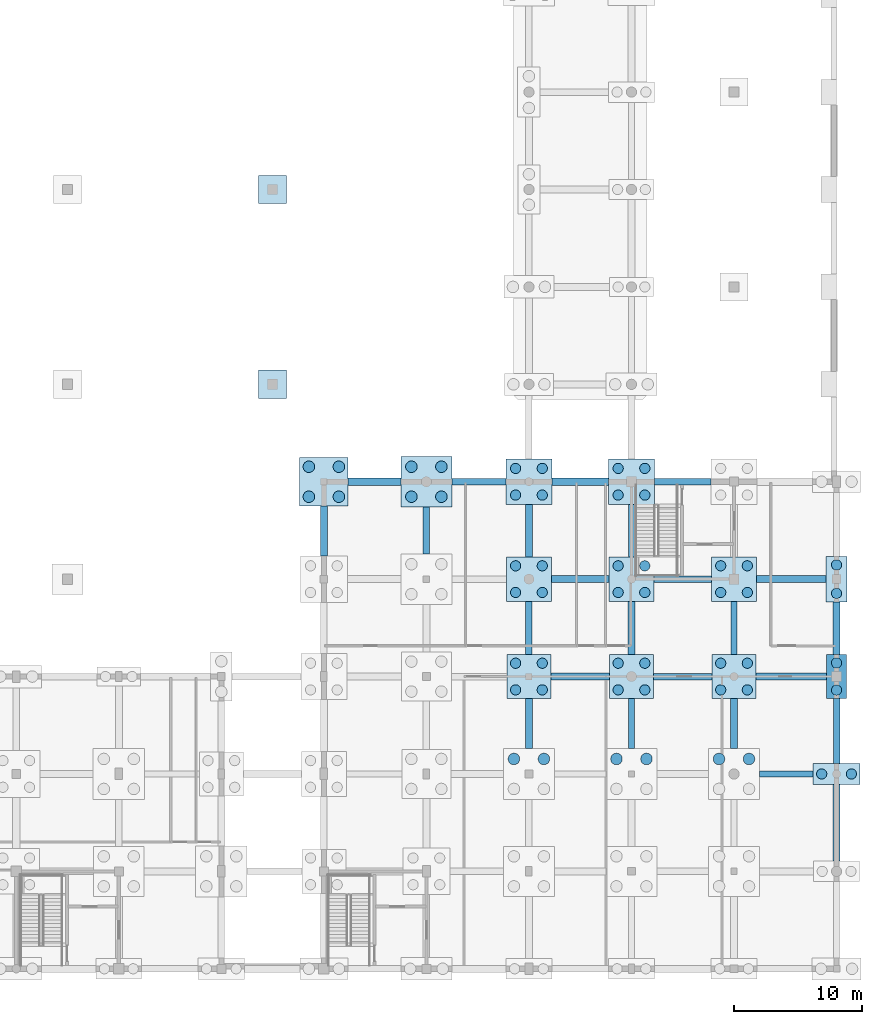
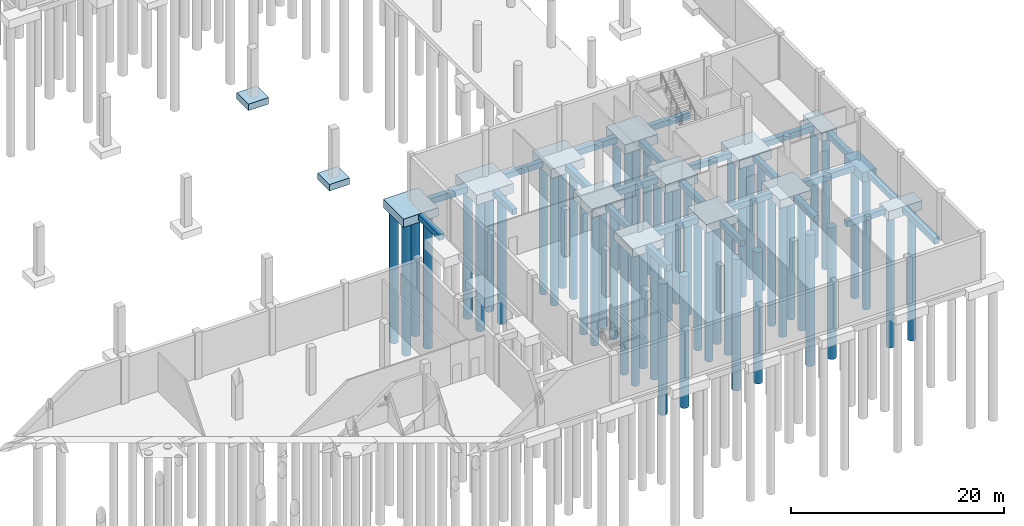
# One storey, part 13 of 44: 52 piles, 39 footings.
"""IFC4 building model written with IfcOpenShell, lengths in metres."""

from ifc_helpers import new_model, si_unit, direction, frame, origin, origin_2d, place, context, subcontext, project, spatial, polyline, circle, outline, extrude, material, material_profile, profile_set, type_object, element, save


model = new_model("IFC4")

# Units and contexts
model_context = context("Model", 3, precision=1e-05, world=origin(), true_north=direction((0.0, 1.0)))
body_context = subcontext(model_context, "Body", "Model", "MODEL_VIEW")
ifc_project = project(units=[si_unit("LENGTHUNIT", "METRE"), si_unit("AREAUNIT", "SQUARE_METRE"), si_unit("VOLUMEUNIT", "CUBIC_METRE"), si_unit("PLANEANGLEUNIT", "RADIAN"), si_unit("MASSUNIT", "GRAM", prefix="KILO")], contexts=[model_context])

# Site, building, storey
site_placement = place(None, origin())
site = spatial("IfcSite", under=ifc_project, at=site_placement, CompositionType="ELEMENT")
building_placement = place(site_placement, origin())
building = spatial("IfcBuilding", under=site, at=building_placement, Name="Khelvaren Railside Concert Hall", CompositionType="ELEMENT")
storey_placement = place(building_placement, frame((0.0, 0.0, -5.39990234375)))
storey = spatial("IfcBuildingStorey", under=building, at=storey_placement, Name="B1", CompositionType="ELEMENT", Elevation=-5.39990234375)

# Piles
ifc_material = material(Name="Concrete C35/45", Category="concrete")
ifc_material_profile_1 = material_profile(ifc_material, circle(Radius=0.449951171875, at=origin_2d()), Name="BP D900")
ifc_profile_set_1 = profile_set([ifc_material_profile_1], Name="Concrete C35/45")
pile_type_1 = type_object("IfcPileType", Name="BP51", PredefinedType="BORED", material=ifc_profile_set_1)
for number, where, z_axis, x_axis, name in (
    (1, (142.830078125, 36.830078125, -1.35009765625), (0.0, 0.0, -1.0), (1.0, 0.0, 0.0), "Bored Pile BP51 PC-V2-164-1"),
    (2, (145.169921875, 36.830078125, -1.35009765625), (0.0, 0.0, -1.0), (1.0, 0.0, 0.0), "Bored Pile BP51 PC-V2-164-2"),
    (3, (142.830078125, 39.169921875, -1.35009765625), (0.0, 0.0, -1.0), (1.0, 0.0, 0.0), "Bored Pile BP51 PC-V2-164-3"),
    (4, (145.169921875, 39.169921875, -1.35009765625), (0.0, 0.0, -1.0), (1.0, 0.0, 0.0), "Bored Pile BP51 PC-V2-164-4"),
):
    element("IfcPile", number, at=place(storey_placement, frame(where, z_axis=z_axis, x_axis=x_axis)), inside=storey, type_object=pile_type_1, Name=name, PredefinedType="BORED", context=body_context, shape_type="SweptSolid", body=[
        extrude(circle(Radius=0.449951171875, at=origin_2d()), origin(), (0.0, 0.0, 1.0), 15.25),
    ])
for number, where, z_axis, x_axis, name in (
    (5, (150.830078125, 36.830078125, -1.5), (0.0, 0.0, -1.0), (1.0, 0.0, 0.0), "Bored Pile BP51 PC-V2-175-1"),
    (6, (153.169921875, 36.830078125, -1.5), (0.0, 0.0, -1.0), (1.0, 0.0, 0.0), "Bored Pile BP51 PC-V2-175-2"),
    (7, (150.830078125, 39.169921875, -1.5), (0.0, 0.0, -1.0), (1.0, 0.0, 0.0), "Bored Pile BP51 PC-V2-175-3"),
    (8, (153.169921875, 39.169921875, -1.5), (0.0, 0.0, -1.0), (1.0, 0.0, 0.0), "Bored Pile BP51 PC-V2-175-4"),
    (9, (158.830078125, 16.3701171875, -1.5), (0.0, 0.0, -1.0), (1.0, 0.0, 0.0), "Bored Pile BP51 PC-V2-183-3"),
    (10, (161.169921875, 16.3701171875, -1.5), (0.0, 0.0, -1.0), (1.0, 0.0, 0.0), "Bored Pile BP51 PC-V2-183-4"),
    (11, (166.830078125, 16.3701171875, -1.5), (0.0, 0.0, -1.0), (1.0, 0.0, 0.0), "Bored Pile BP51 PC-V2-199-3"),
    (12, (169.169921875, 16.3701171875, -1.5), (0.0, 0.0, -1.0), (1.0, 0.0, 0.0), "Bored Pile BP51 PC-V2-199-4"),
    (13, (174.830078125, 16.3701171875, -1.5), (0.0, 0.0, -1.0), (1.0, 0.0, 0.0), "Bored Pile BP51 PC-V2-215-3"),
    (14, (177.169921875, 16.3701171875, -1.5), (0.0, 0.0, -1.0), (1.0, 0.0, 0.0), "Bored Pile BP51 PC-V2-215-4"),
):
    element("IfcPile", number, at=place(storey_placement, frame(where, z_axis=z_axis, x_axis=x_axis)), inside=storey, type_object=pile_type_1, Name=name, PredefinedType="BORED", context=body_context, shape_type="SweptSolid", body=[
        extrude(circle(Radius=0.449951171875, at=origin_2d()), origin(), (0.0, 0.0, 1.0), 15.10009765625),
    ])
ifc_material_profile_2 = material_profile(ifc_material, circle(Radius=0.39990234375, at=origin_2d()), Name="BP D800")
ifc_profile_set_2 = profile_set([ifc_material_profile_2], Name="Concrete C35/45")
pile_type_2 = type_object("IfcPileType", Name="BP84", PredefinedType="BORED", material=ifc_profile_set_2)
for number, where, z_axis, x_axis, name in (
    (15, (158.9599609375, 21.760009765625, -1.35009765625), (0.0, 0.0, -1.0), (1.0, 0.0, 0.0), "Bored Pile BP84 PC-V2-184-1"),
    (16, (161.0400390625, 21.760009765625, -1.35009765625), (0.0, 0.0, -1.0), (1.0, 0.0, 0.0), "Bored Pile BP84 PC-V2-184-2"),
    (17, (158.9599609375, 23.840087890625, -1.35009765625), (0.0, 0.0, -1.0), (1.0, 0.0, 0.0), "Bored Pile BP84 PC-V2-184-3"),
    (18, (161.0400390625, 23.840087890625, -1.35009765625), (0.0, 0.0, -1.0), (1.0, 0.0, 0.0), "Bored Pile BP84 PC-V2-184-4"),
):
    element("IfcPile", number, at=place(storey_placement, frame(where, z_axis=z_axis, x_axis=x_axis)), inside=storey, type_object=pile_type_2, Name=name, PredefinedType="BORED", context=body_context, shape_type="SweptSolid", body=[
        extrude(circle(Radius=0.39990234375, at=origin_2d()), origin(), (0.0, 0.0, 1.0), 15.25),
    ])
for number, where, z_axis, x_axis, name in (
    (19, (158.9599609375, 29.360107421875, -1.400146484375), (0.0, 0.0, -1.0), (1.0, 0.0, 0.0), "Bored Pile BP84 PC-V2-185-1"),
    (20, (161.0400390625, 29.360107421875, -1.400146484375), (0.0, 0.0, -1.0), (1.0, 0.0, 0.0), "Bored Pile BP84 PC-V2-185-2"),
    (21, (158.9599609375, 31.43994140625, -1.400146484375), (0.0, 0.0, -1.0), (1.0, 0.0, 0.0), "Bored Pile BP84 PC-V2-185-3"),
    (22, (161.0400390625, 31.43994140625, -1.400146484375), (0.0, 0.0, -1.0), (1.0, 0.0, 0.0), "Bored Pile BP84 PC-V2-185-4"),
):
    element("IfcPile", number, at=place(storey_placement, frame(where, z_axis=z_axis, x_axis=x_axis)), inside=storey, type_object=pile_type_2, Name=name, PredefinedType="BORED", context=body_context, shape_type="SweptSolid", body=[
        extrude(circle(Radius=0.39990234375, at=origin_2d()), origin(), (0.0, 0.0, 1.0), 15.199951171875),
    ])
for number, where, z_axis, x_axis, name in (
    (23, (158.9599609375, 36.9599609375, -1.4501953125), (0.0, 0.0, -1.0), (1.0, 0.0, 0.0), "Bored Pile BP84 PC-V2-186-1"),
    (24, (161.0400390625, 36.9599609375, -1.4501953125), (0.0, 0.0, -1.0), (1.0, 0.0, 0.0), "Bored Pile BP84 PC-V2-186-2"),
    (25, (158.9599609375, 39.0400390625, -1.4501953125), (0.0, 0.0, -1.0), (1.0, 0.0, 0.0), "Bored Pile BP84 PC-V2-186-3"),
    (26, (161.0400390625, 39.0400390625, -1.4501953125), (0.0, 0.0, -1.0), (1.0, 0.0, 0.0), "Bored Pile BP84 PC-V2-186-4"),
):
    element("IfcPile", number, at=place(storey_placement, frame(where, z_axis=z_axis, x_axis=x_axis)), inside=storey, type_object=pile_type_2, Name=name, PredefinedType="BORED", context=body_context, shape_type="SweptSolid", body=[
        extrude(circle(Radius=0.39990234375, at=origin_2d()), origin(), (0.0, 0.0, 1.0), 15.14990234375),
    ])
for number, where, z_axis, x_axis, name in (
    (27, (166.9599609375, 21.760009765625, -1.35009765625), (0.0, 0.0, -1.0), (1.0, 0.0, 0.0), "Bored Pile BP84 PC-V2-200-1"),
    (28, (169.0400390625, 21.760009765625, -1.35009765625), (0.0, 0.0, -1.0), (1.0, 0.0, 0.0), "Bored Pile BP84 PC-V2-200-2"),
    (29, (166.9599609375, 23.840087890625, -1.35009765625), (0.0, 0.0, -1.0), (1.0, 0.0, 0.0), "Bored Pile BP84 PC-V2-200-3"),
    (30, (169.0400390625, 23.840087890625, -1.35009765625), (0.0, 0.0, -1.0), (1.0, 0.0, 0.0), "Bored Pile BP84 PC-V2-200-4"),
):
    element("IfcPile", number, at=place(storey_placement, frame(where, z_axis=z_axis, x_axis=x_axis)), inside=storey, type_object=pile_type_2, Name=name, PredefinedType="BORED", context=body_context, shape_type="SweptSolid", body=[
        extrude(circle(Radius=0.39990234375, at=origin_2d()), origin(), (0.0, 0.0, 1.0), 15.25),
    ])
for number, where, z_axis, x_axis, name in (
    (31, (166.9599609375, 29.360107421875, -1.400146484375), (0.0, 0.0, -1.0), (1.0, 0.0, 0.0), "Bored Pile BP84 PC-V2-201-1"),
    (32, (169.0400390625, 29.360107421875, -1.400146484375), (0.0, 0.0, -1.0), (1.0, 0.0, 0.0), "Bored Pile BP84 PC-V2-201-2"),
    (33, (166.9599609375, 31.43994140625, -1.400146484375), (0.0, 0.0, -1.0), (1.0, 0.0, 0.0), "Bored Pile BP84 PC-V2-201-3"),
    (34, (169.0400390625, 31.43994140625, -1.400146484375), (0.0, 0.0, -1.0), (1.0, 0.0, 0.0), "Bored Pile BP84 PC-V2-201-4"),
):
    element("IfcPile", number, at=place(storey_placement, frame(where, z_axis=z_axis, x_axis=x_axis)), inside=storey, type_object=pile_type_2, Name=name, PredefinedType="BORED", context=body_context, shape_type="SweptSolid", body=[
        extrude(circle(Radius=0.39990234375, at=origin_2d()), origin(), (0.0, 0.0, 1.0), 15.199951171875),
    ])
for number, where, z_axis, x_axis, name in (
    (35, (166.9599609375, 36.9599609375, -1.4501953125), (0.0, 0.0, -1.0), (1.0, 0.0, 0.0), "Bored Pile BP84 PC-V2-202-1"),
    (36, (169.0400390625, 36.9599609375, -1.4501953125), (0.0, 0.0, -1.0), (1.0, 0.0, 0.0), "Bored Pile BP84 PC-V2-202-2"),
    (37, (166.9599609375, 39.0400390625, -1.4501953125), (0.0, 0.0, -1.0), (1.0, 0.0, 0.0), "Bored Pile BP84 PC-V2-202-3"),
    (38, (169.0400390625, 39.0400390625, -1.4501953125), (0.0, 0.0, -1.0), (1.0, 0.0, 0.0), "Bored Pile BP84 PC-V2-202-4"),
):
    element("IfcPile", number, at=place(storey_placement, frame(where, z_axis=z_axis, x_axis=x_axis)), inside=storey, type_object=pile_type_2, Name=name, PredefinedType="BORED", context=body_context, shape_type="SweptSolid", body=[
        extrude(circle(Radius=0.39990234375, at=origin_2d()), origin(), (0.0, 0.0, 1.0), 15.14990234375),
    ])
for number, where, z_axis, x_axis, name in (
    (39, (174.9599609375, 21.760009765625, -1.35009765625), (0.0, 0.0, -1.0), (1.0, 0.0, 0.0), "Bored Pile BP84 PC-V2-216-1"),
    (40, (177.0400390625, 21.760009765625, -1.35009765625), (0.0, 0.0, -1.0), (1.0, 0.0, 0.0), "Bored Pile BP84 PC-V2-216-2"),
    (41, (174.9599609375, 23.840087890625, -1.35009765625), (0.0, 0.0, -1.0), (1.0, 0.0, 0.0), "Bored Pile BP84 PC-V2-216-3"),
    (42, (177.0400390625, 23.840087890625, -1.35009765625), (0.0, 0.0, -1.0), (1.0, 0.0, 0.0), "Bored Pile BP84 PC-V2-216-4"),
):
    element("IfcPile", number, at=place(storey_placement, frame(where, z_axis=z_axis, x_axis=x_axis)), inside=storey, type_object=pile_type_2, Name=name, PredefinedType="BORED", context=body_context, shape_type="SweptSolid", body=[
        extrude(circle(Radius=0.39990234375, at=origin_2d()), origin(), (0.0, 0.0, 1.0), 15.25),
    ])
for number, where, z_axis, x_axis, name in (
    (43, (174.9599609375, 29.360107421875, -1.400146484375), (0.0, 0.0, -1.0), (1.0, 0.0, 0.0), "Bored Pile BP84 PC-V2-217-1"),
    (44, (177.0400390625, 29.360107421875, -1.400146484375), (0.0, 0.0, -1.0), (1.0, 0.0, 0.0), "Bored Pile BP84 PC-V2-217-2"),
    (45, (174.9599609375, 31.43994140625, -1.400146484375), (0.0, 0.0, -1.0), (1.0, 0.0, 0.0), "Bored Pile BP84 PC-V2-217-3"),
    (46, (177.0400390625, 31.43994140625, -1.400146484375), (0.0, 0.0, -1.0), (1.0, 0.0, 0.0), "Bored Pile BP84 PC-V2-217-4"),
):
    element("IfcPile", number, at=place(storey_placement, frame(where, z_axis=z_axis, x_axis=x_axis)), inside=storey, type_object=pile_type_2, Name=name, PredefinedType="BORED", context=body_context, shape_type="SweptSolid", body=[
        extrude(circle(Radius=0.39990234375, at=origin_2d()), origin(), (0.0, 0.0, 1.0), 15.199951171875),
    ])
for number, where, z_axis, x_axis, name in (
    (47, (182.840087890625, 15.199951171875, -1.4501953125), (0.0, 0.0, -1.0), (1.0, 0.0, 0.0), "Bored Pile BP84 PC-V2-226-1"),
    (48, (185.159912109375, 15.199951171875, -1.4501953125), (0.0, 0.0, -1.0), (1.0, 0.0, 0.0), "Bored Pile BP84 PC-V2-226-2"),
):
    element("IfcPile", number, at=place(storey_placement, frame(where, z_axis=z_axis, x_axis=x_axis)), inside=storey, type_object=pile_type_2, Name=name, PredefinedType="BORED", context=body_context, shape_type="SweptSolid", body=[
        extrude(circle(Radius=0.39990234375, at=origin_2d()), origin(), (0.0, 0.0, 1.0), 15.14990234375),
    ])
for number, where, z_axis, x_axis, name in (
    (49, (184.0, 21.739990234375, -1.5), (0.0, 0.0, -1.0), (1.0, 0.0, 0.0), "Bored Pile BP84 PC-V2-227-1"),
    (50, (184.0, 23.860107421875, -1.5), (0.0, 0.0, -1.0), (1.0, 0.0, 0.0), "Bored Pile BP84 PC-V2-227-2"),
):
    element("IfcPile", number, at=place(storey_placement, frame(where, z_axis=z_axis, x_axis=x_axis)), inside=storey, type_object=pile_type_2, Name=name, PredefinedType="BORED", context=body_context, shape_type="SweptSolid", body=[
        extrude(circle(Radius=0.39990234375, at=origin_2d()), origin(), (0.0, 0.0, 1.0), 15.10009765625),
    ])
for number, where, z_axis, x_axis, name in (
    (51, (184.0, 29.2900390625, -1.35009765625), (0.0, 0.0, -1.0), (1.0, 0.0, 0.0), "Bored Pile BP84 PC-V2-228-1"),
    (52, (184.0, 31.510009765625, -1.35009765625), (0.0, 0.0, -1.0), (1.0, 0.0, 0.0), "Bored Pile BP84 PC-V2-228-2"),
):
    element("IfcPile", number, at=place(storey_placement, frame(where, z_axis=z_axis, x_axis=x_axis)), inside=storey, type_object=pile_type_2, Name=name, PredefinedType="BORED", context=body_context, shape_type="SweptSolid", body=[
        extrude(circle(Radius=0.39990234375, at=origin_2d()), origin(), (0.0, 0.0, 1.0), 15.25),
    ])

# Footings
footing_type_1 = type_object("IfcFootingType", Name="GB49", PredefinedType="FOOTING_BEAM", material=ifc_material)
footing_1_placement = place(storey_placement, frame((0.0, 0.0, -1.150146484375)))
element("IfcFooting", 53, at=footing_1_placement, inside=storey, type_object=footing_type_1, Name="Ground Tie Beam GB49 69", PredefinedType="FOOTING_BEAM", context=body_context, shape_type="SweptSolid", body=[
    extrude(outline(polyline([(178.0, 14.949951171875), (182.179931640625, 14.949951171875), (182.179931640625, 15.449951171875), (178.0, 15.449951171875), (178.0, 14.949951171875)])), origin(), (0.0, 0.0, 1.0), 0.650146484375),
])
footing_2_placement = place(storey_placement, frame((0.0, 0.0, -1.150146484375)))
element("IfcFooting", 54, at=footing_2_placement, inside=storey, type_object=footing_type_1, Name="Ground Tie Beam GB49 91", PredefinedType="FOOTING_BEAM", context=body_context, shape_type="SweptSolid", body=[
    extrude(outline(polyline([(169.719970703125, 22.550048828125), (174.280029296875, 22.550048828125), (174.280029296875, 23.050048828125), (169.719970703125, 23.050048828125), (169.719970703125, 22.550048828125)])), origin(), (0.0, 0.0, 1.0), 0.650146484375),
])
footing_3_placement = place(storey_placement, frame((0.0, 0.0, -1.150146484375)))
element("IfcFooting", 55, at=footing_3_placement, inside=storey, type_object=footing_type_1, Name="Ground Tie Beam GB49 103", PredefinedType="FOOTING_BEAM", context=body_context, shape_type="SweptSolid", body=[
    extrude(outline(polyline([(169.760009765625, 30.14990234375), (174.239990234375, 30.14990234375), (174.239990234375, 30.64990234375), (169.760009765625, 30.64990234375), (169.760009765625, 30.14990234375)])), origin(), (0.0, 0.0, 1.0), 0.650146484375),
])
footing_4_placement = place(storey_placement, frame((0.0, 0.0, -1.150146484375)))
element("IfcFooting", 56, at=footing_4_placement, inside=storey, type_object=footing_type_1, Name="Ground Tie Beam GB49 113", PredefinedType="FOOTING_BEAM", context=body_context, shape_type="SweptSolid", body=[
    extrude(outline(polyline([(154.0, 37.75), (158.199951171875, 37.75), (158.199951171875, 38.25), (154.0, 38.25), (154.0, 37.75)])), origin(), (0.0, 0.0, 1.0), 0.650146484375),
])
footing_5_placement = place(storey_placement, frame((0.0, 0.0, -1.150146484375)))
element("IfcFooting", 57, at=footing_5_placement, inside=storey, type_object=footing_type_1, Name="Ground Tie Beam GB49 115", PredefinedType="FOOTING_BEAM", context=body_context, shape_type="SweptSolid", body=[
    extrude(outline(polyline([(169.800048828125, 37.75), (174.199951171875, 37.75), (174.199951171875, 38.25), (169.800048828125, 38.25), (169.800048828125, 37.75)])), origin(), (0.0, 0.0, 1.0), 0.650146484375),
])
footing_6_placement = place(storey_placement, frame((0.0, 0.0, -1.150146484375)))
element("IfcFooting", 58, at=footing_6_placement, inside=storey, type_object=footing_type_1, Name="Ground Tie Beam GB49 355", PredefinedType="FOOTING_BEAM", context=body_context, shape_type="SweptSolid", body=[
    extrude(outline(polyline([(151.75, 32.360107421875), (152.25, 32.360107421875), (152.25, 36.02001953125), (151.75, 36.02001953125), (151.75, 32.360107421875)])), origin(), (0.0, 0.0, 1.0), 0.650146484375),
])
footing_7_placement = place(storey_placement, frame((0.0, 0.0, -1.150146484375)))
element("IfcFooting", 59, at=footing_7_placement, inside=storey, type_object=footing_type_1, Name="Ground Tie Beam GB49 363", PredefinedType="FOOTING_BEAM", context=body_context, shape_type="SweptSolid", body=[
    extrude(outline(polyline([(159.75, 24.52001953125), (160.25, 24.52001953125), (160.25, 28.659912109375), (159.75, 28.659912109375), (159.75, 24.52001953125)])), origin(), (0.0, 0.0, 1.0), 0.650146484375),
])
footing_8_placement = place(storey_placement, frame((0.0, 0.0, -1.150146484375)))
element("IfcFooting", 60, at=footing_8_placement, inside=storey, type_object=footing_type_1, Name="Ground Tie Beam GB49 377", PredefinedType="FOOTING_BEAM", context=body_context, shape_type="SweptSolid", body=[
    extrude(outline(polyline([(167.75, 17.179931640625), (168.25, 17.179931640625), (168.25, 21.080078125), (167.75, 21.080078125), (167.75, 17.179931640625)])), origin(), (0.0, 0.0, 1.0), 0.650146484375),
])
footing_9_placement = place(storey_placement, frame((0.0, 0.0, -1.150146484375)))
element("IfcFooting", 61, at=footing_9_placement, inside=storey, type_object=footing_type_1, Name="Ground Tie Beam GB49 379", PredefinedType="FOOTING_BEAM", context=body_context, shape_type="SweptSolid", body=[
    extrude(outline(polyline([(167.75, 32.139892578125), (168.25, 32.139892578125), (168.25, 36.219970703125), (167.75, 36.219970703125), (167.75, 32.139892578125)])), origin(), (0.0, 0.0, 1.0), 0.650146484375),
])
footing_10_placement = place(storey_placement, frame((0.0, 0.0, -1.150146484375)))
element("IfcFooting", 62, at=footing_10_placement, inside=storey, type_object=footing_type_1, Name="Ground Tie Beam GB49 393", PredefinedType="FOOTING_BEAM", context=body_context, shape_type="SweptSolid", body=[
    extrude(outline(polyline([(175.75, 24.52001953125), (176.25, 24.52001953125), (176.25, 28.659912109375), (175.75, 28.659912109375), (175.75, 24.52001953125)])), origin(), (0.0, 0.0, 1.0), 0.650146484375),
])
footing_11_placement = place(storey_placement, frame((0.0, 0.0, -1.150146484375)))
element("IfcFooting", 63, at=footing_11_placement, inside=storey, type_object=footing_type_1, Name="Ground Tie Beam GB49 401", PredefinedType="FOOTING_BEAM", context=body_context, shape_type="SweptSolid", body=[
    extrude(outline(polyline([(183.75, 16.02490234375), (184.25, 16.02490234375), (184.25, 21.080078125), (183.75, 21.080078125), (183.75, 16.02490234375)])), origin(), (0.0, 0.0, 1.0), 0.650146484375),
])
footing_type_2 = type_object("IfcFootingType", Name="GB57", PredefinedType="FOOTING_BEAM", material=ifc_material)
footing_12_placement = place(storey_placement, frame((0.0, 0.0, -1.2001953125)))
element("IfcFooting", 64, at=footing_12_placement, inside=storey, type_object=footing_type_2, Name="Ground Tie Beam GB57 90", PredefinedType="FOOTING_BEAM", context=body_context, shape_type="SweptSolid", body=[
    extrude(outline(polyline([(161.719970703125, 22.52490234375), (166.280029296875, 22.52490234375), (166.280029296875, 23.074951171875), (161.719970703125, 23.074951171875), (161.719970703125, 22.52490234375)])), origin(), (0.0, 0.0, 1.0), 0.7001953125),
])
footing_13_placement = place(storey_placement, frame((0.0, 0.0, -1.2001953125)))
element("IfcFooting", 65, at=footing_13_placement, inside=storey, type_object=footing_type_2, Name="Ground Tie Beam GB57 92", PredefinedType="FOOTING_BEAM", context=body_context, shape_type="SweptSolid", body=[
    extrude(outline(polyline([(177.719970703125, 22.52490234375), (183.22509765625, 22.52490234375), (183.22509765625, 23.074951171875), (177.719970703125, 23.074951171875), (177.719970703125, 22.52490234375)])), origin(), (0.0, 0.0, 1.0), 0.7001953125),
])
footing_14_placement = place(storey_placement, frame((0.0, 0.0, -1.2001953125)))
element("IfcFooting", 66, at=footing_14_placement, inside=storey, type_object=footing_type_2, Name="Ground Tie Beam GB57 102", PredefinedType="FOOTING_BEAM", context=body_context, shape_type="SweptSolid", body=[
    extrude(outline(polyline([(161.760009765625, 30.125), (166.239990234375, 30.125), (166.239990234375, 30.675048828125), (161.760009765625, 30.675048828125), (161.760009765625, 30.125)])), origin(), (0.0, 0.0, 1.0), 0.7001953125),
])
footing_15_placement = place(storey_placement, frame((0.0, 0.0, -1.2001953125)))
element("IfcFooting", 67, at=footing_15_placement, inside=storey, type_object=footing_type_2, Name="Ground Tie Beam GB57 104", PredefinedType="FOOTING_BEAM", context=body_context, shape_type="SweptSolid", body=[
    extrude(outline(polyline([(177.760009765625, 30.125), (183.175048828125, 30.125), (183.175048828125, 30.675048828125), (177.760009765625, 30.675048828125), (177.760009765625, 30.125)])), origin(), (0.0, 0.0, 1.0), 0.7001953125),
])
footing_16_placement = place(storey_placement, frame((0.0, 0.0, -1.2001953125)))
element("IfcFooting", 68, at=footing_16_placement, inside=storey, type_object=footing_type_2, Name="Ground Tie Beam GB57 112", PredefinedType="FOOTING_BEAM", context=body_context, shape_type="SweptSolid", body=[
    extrude(outline(polyline([(145.89990234375, 37.72509765625), (150.0, 37.72509765625), (150.0, 38.27490234375), (145.89990234375, 38.27490234375), (145.89990234375, 37.72509765625)])), origin(), (0.0, 0.0, 1.0), 0.7001953125),
])
footing_17_placement = place(storey_placement, frame((0.0, 0.0, -1.2001953125)))
element("IfcFooting", 69, at=footing_17_placement, inside=storey, type_object=footing_type_2, Name="Ground Tie Beam GB57 114", PredefinedType="FOOTING_BEAM", context=body_context, shape_type="SweptSolid", body=[
    extrude(outline(polyline([(161.800048828125, 37.72509765625), (166.199951171875, 37.72509765625), (166.199951171875, 38.27490234375), (161.800048828125, 38.27490234375), (161.800048828125, 37.72509765625)])), origin(), (0.0, 0.0, 1.0), 0.7001953125),
])
footing_18_placement = place(storey_placement, frame((0.0, 0.0, -1.2001953125)))
element("IfcFooting", 70, at=footing_18_placement, inside=storey, type_object=footing_type_2, Name="Ground Tie Beam GB57 346", PredefinedType="FOOTING_BEAM", context=body_context, shape_type="SweptSolid", body=[
    extrude(outline(polyline([(143.72509765625, 32.219970703125), (144.27490234375, 32.219970703125), (144.27490234375, 36.10009765625), (143.72509765625, 36.10009765625), (143.72509765625, 32.219970703125)])), origin(), (0.0, 0.0, 1.0), 0.7001953125),
])
footing_19_placement = place(storey_placement, frame((0.0, 0.0, -1.2001953125)))
element("IfcFooting", 71, at=footing_19_placement, inside=storey, type_object=footing_type_2, Name="Ground Tie Beam GB57 362", PredefinedType="FOOTING_BEAM", context=body_context, shape_type="SweptSolid", body=[
    extrude(outline(polyline([(159.72509765625, 17.179931640625), (160.27490234375, 17.179931640625), (160.27490234375, 21.080078125), (159.72509765625, 21.080078125), (159.72509765625, 17.179931640625)])), origin(), (0.0, 0.0, 1.0), 0.7001953125),
])
footing_20_placement = place(storey_placement, frame((0.0, 0.0, -1.2001953125)))
element("IfcFooting", 72, at=footing_20_placement, inside=storey, type_object=footing_type_2, Name="Ground Tie Beam GB57 364", PredefinedType="FOOTING_BEAM", context=body_context, shape_type="SweptSolid", body=[
    extrude(outline(polyline([(159.72509765625, 32.139892578125), (160.27490234375, 32.139892578125), (160.27490234375, 36.219970703125), (159.72509765625, 36.219970703125), (159.72509765625, 32.139892578125)])), origin(), (0.0, 0.0, 1.0), 0.7001953125),
])
footing_21_placement = place(storey_placement, frame((0.0, 0.0, -1.2001953125)))
element("IfcFooting", 73, at=footing_21_placement, inside=storey, type_object=footing_type_2, Name="Ground Tie Beam GB57 378", PredefinedType="FOOTING_BEAM", context=body_context, shape_type="SweptSolid", body=[
    extrude(outline(polyline([(167.72509765625, 24.52001953125), (168.27490234375, 24.52001953125), (168.27490234375, 28.659912109375), (167.72509765625, 28.659912109375), (167.72509765625, 24.52001953125)])), origin(), (0.0, 0.0, 1.0), 0.7001953125),
])
footing_22_placement = place(storey_placement, frame((0.0, 0.0, -1.2001953125)))
element("IfcFooting", 74, at=footing_22_placement, inside=storey, type_object=footing_type_2, Name="Ground Tie Beam GB57 392", PredefinedType="FOOTING_BEAM", context=body_context, shape_type="SweptSolid", body=[
    extrude(outline(polyline([(175.72509765625, 17.179931640625), (176.27490234375, 17.179931640625), (176.27490234375, 21.080078125), (175.72509765625, 21.080078125), (175.72509765625, 17.179931640625)])), origin(), (0.0, 0.0, 1.0), 0.7001953125),
])
footing_23_placement = place(storey_placement, frame((0.0, 0.0, -1.2001953125)))
element("IfcFooting", 75, at=footing_23_placement, inside=storey, type_object=footing_type_2, Name="Ground Tie Beam GB57 400", PredefinedType="FOOTING_BEAM", context=body_context, shape_type="SweptSolid", body=[
    extrude(outline(polyline([(183.72509765625, 8.39990234375), (184.27490234375, 8.39990234375), (184.27490234375, 14.375), (183.72509765625, 14.375), (183.72509765625, 8.39990234375)])), origin(), (0.0, 0.0, 1.0), 0.7001953125),
])
footing_24_placement = place(storey_placement, frame((0.0, 0.0, -1.2001953125)))
element("IfcFooting", 76, at=footing_24_placement, inside=storey, type_object=footing_type_2, Name="Ground Tie Beam GB57 402", PredefinedType="FOOTING_BEAM", context=body_context, shape_type="SweptSolid", body=[
    extrude(outline(polyline([(183.72509765625, 24.52001953125), (184.27490234375, 24.52001953125), (184.27490234375, 28.6298828125), (183.72509765625, 28.6298828125), (183.72509765625, 24.52001953125)])), origin(), (0.0, 0.0, 1.0), 0.7001953125),
])
footing_type_3 = type_object("IfcFootingType", Name="PC31", PredefinedType="PILE_CAP", material=ifc_material)
footing_25_placement = place(storey_placement, frame((0.0, 0.0, -1.4501953125)))
element("IfcFooting", 77, at=footing_25_placement, inside=storey, type_object=footing_type_3, Name="Pile Cap PC31 (144.0,38.0)", PredefinedType="PILE_CAP", context=body_context, shape_type="SweptSolid", body=[
    extrude(outline(polyline([(142.10009765625, 36.10009765625), (145.89990234375, 36.10009765625), (145.89990234375, 39.89990234375), (142.10009765625, 39.89990234375), (142.10009765625, 36.10009765625)])), origin(), (0.0, 0.0, 1.0), 0.9501953125),
])
footing_type_4 = type_object("IfcFootingType", Name="PC34", PredefinedType="PILE_CAP", material=ifc_material)
footing_26_placement = place(storey_placement, frame((0.0, 0.0, -1.60009765625)))
element("IfcFooting", 78, at=footing_26_placement, inside=storey, type_object=footing_type_4, Name="Pile Cap PC34 (184.0,22.8)", PredefinedType="PILE_CAP", context=body_context, shape_type="SweptSolid", body=[
    extrude(outline(polyline([(183.22509765625, 21.080078125), (184.77490234375, 21.080078125), (184.77490234375, 24.52001953125), (183.22509765625, 24.52001953125), (183.22509765625, 21.080078125)])), origin(), (0.0, 0.0, 1.0), 1.10009765625),
])
footing_type_5 = type_object("IfcFootingType", Name="PC35", PredefinedType="PILE_CAP", material=ifc_material)
footing_27_placement = place(storey_placement, frame((0.0, 0.0, -1.4501953125)))
element("IfcFooting", 79, at=footing_27_placement, inside=storey, type_object=footing_type_5, Name="Pile Cap PC35 (184.0,30.4)", PredefinedType="PILE_CAP", context=body_context, shape_type="SweptSolid", body=[
    extrude(outline(polyline([(183.175048828125, 28.6298828125), (184.824951171875, 28.6298828125), (184.824951171875, 32.169921875), (183.175048828125, 32.169921875), (183.175048828125, 28.6298828125)])), origin(), (0.0, 0.0, 1.0), 0.9501953125),
])
footing_type_6 = type_object("IfcFootingType", Name="PC36", PredefinedType="PILE_CAP", material=ifc_material)
footing_28_placement = place(storey_placement, frame((0.0, 0.0, -1.4501953125)))
element("IfcFooting", 80, at=footing_28_placement, inside=storey, type_object=footing_type_6, Name="Pile Cap PC36 (160.0,22.8)", PredefinedType="PILE_CAP", context=body_context, shape_type="SweptSolid", body=[
    extrude(outline(polyline([(158.280029296875, 21.080078125), (161.719970703125, 21.080078125), (161.719970703125, 24.52001953125), (158.280029296875, 24.52001953125), (158.280029296875, 21.080078125)])), origin(), (0.0, 0.0, 1.0), 0.9501953125),
])
footing_29_placement = place(storey_placement, frame((0.0, 0.0, -1.4501953125)))
element("IfcFooting", 81, at=footing_29_placement, inside=storey, type_object=footing_type_6, Name="Pile Cap PC36 (168.0,22.8)", PredefinedType="PILE_CAP", context=body_context, shape_type="SweptSolid", body=[
    extrude(outline(polyline([(166.280029296875, 21.080078125), (169.719970703125, 21.080078125), (169.719970703125, 24.52001953125), (166.280029296875, 24.52001953125), (166.280029296875, 21.080078125)])), origin(), (0.0, 0.0, 1.0), 0.9501953125),
])
footing_30_placement = place(storey_placement, frame((0.0, 0.0, -1.4501953125)))
element("IfcFooting", 82, at=footing_30_placement, inside=storey, type_object=footing_type_6, Name="Pile Cap PC36 (176.0,22.8)", PredefinedType="PILE_CAP", context=body_context, shape_type="SweptSolid", body=[
    extrude(outline(polyline([(174.280029296875, 21.080078125), (177.719970703125, 21.080078125), (177.719970703125, 24.52001953125), (174.280029296875, 24.52001953125), (174.280029296875, 21.080078125)])), origin(), (0.0, 0.0, 1.0), 0.9501953125),
])
footing_type_7 = type_object("IfcFootingType", Name="PC51", PredefinedType="PILE_CAP", material=ifc_material)
footing_31_placement = place(storey_placement, frame((0.0, 0.0, -1.60009765625)))
element("IfcFooting", 83, at=footing_31_placement, inside=storey, type_object=footing_type_7, Name="Pile Cap PC51 (152.0,38.0)", PredefinedType="PILE_CAP", context=body_context, shape_type="SweptSolid", body=[
    extrude(outline(polyline([(150.0, 36.02001953125), (154.0, 36.02001953125), (154.0, 39.97998046875), (150.0, 39.97998046875), (150.0, 36.02001953125)])), origin(), (0.0, 0.0, 1.0), 1.10009765625),
])
footing_type_8 = type_object("IfcFootingType", Name="PC56", PredefinedType="PILE_CAP", material=ifc_material)
footing_32_placement = place(storey_placement, frame((0.0, 0.0, -1.5)))
element("IfcFooting", 84, at=footing_32_placement, inside=storey, type_object=footing_type_8, Name="Pile Cap PC56 (160.0,30.4)", PredefinedType="PILE_CAP", context=body_context, shape_type="SweptSolid", body=[
    extrude(outline(polyline([(158.239990234375, 28.659912109375), (161.760009765625, 28.659912109375), (161.760009765625, 32.139892578125), (158.239990234375, 32.139892578125), (158.239990234375, 28.659912109375)])), origin(), (0.0, 0.0, 1.0), 1.0),
])
footing_33_placement = place(storey_placement, frame((0.0, 0.0, -1.5)))
element("IfcFooting", 85, at=footing_33_placement, inside=storey, type_object=footing_type_8, Name="Pile Cap PC56 (168.0,30.4)", PredefinedType="PILE_CAP", context=body_context, shape_type="SweptSolid", body=[
    extrude(outline(polyline([(166.239990234375, 28.659912109375), (169.760009765625, 28.659912109375), (169.760009765625, 32.139892578125), (166.239990234375, 32.139892578125), (166.239990234375, 28.659912109375)])), origin(), (0.0, 0.0, 1.0), 1.0),
])
footing_34_placement = place(storey_placement, frame((0.0, 0.0, -1.5)))
element("IfcFooting", 86, at=footing_34_placement, inside=storey, type_object=footing_type_8, Name="Pile Cap PC56 (176.0,30.4)", PredefinedType="PILE_CAP", context=body_context, shape_type="SweptSolid", body=[
    extrude(outline(polyline([(174.239990234375, 28.659912109375), (177.760009765625, 28.659912109375), (177.760009765625, 32.139892578125), (174.239990234375, 32.139892578125), (174.239990234375, 28.659912109375)])), origin(), (0.0, 0.0, 1.0), 1.0),
])
footing_type_9 = type_object("IfcFootingType", Name="PC90", PredefinedType="PILE_CAP", material=ifc_material)
footing_35_placement = place(storey_placement, frame((0.0, 0.0, -1.550048828125)))
element("IfcFooting", 87, at=footing_35_placement, inside=storey, type_object=footing_type_9, Name="Pile Cap PC90 (160.0,38.0)", PredefinedType="PILE_CAP", context=body_context, shape_type="SweptSolid", body=[
    extrude(outline(polyline([(158.199951171875, 36.219970703125), (161.800048828125, 36.219970703125), (161.800048828125, 39.780029296875), (158.199951171875, 39.780029296875), (158.199951171875, 36.219970703125)])), origin(), (0.0, 0.0, 1.0), 1.050048828125),
])
footing_36_placement = place(storey_placement, frame((0.0, 0.0, -1.550048828125)))
element("IfcFooting", 88, at=footing_36_placement, inside=storey, type_object=footing_type_9, Name="Pile Cap PC90 (168.0,38.0)", PredefinedType="PILE_CAP", context=body_context, shape_type="SweptSolid", body=[
    extrude(outline(polyline([(166.199951171875, 36.219970703125), (169.800048828125, 36.219970703125), (169.800048828125, 39.780029296875), (166.199951171875, 39.780029296875), (166.199951171875, 36.219970703125)])), origin(), (0.0, 0.0, 1.0), 1.050048828125),
])
footing_type_10 = type_object("IfcFootingType", Name="PC98", PredefinedType="PILE_CAP", material=ifc_material)
footing_37_placement = place(storey_placement, frame((0.0, 0.0, -1.550048828125)))
element("IfcFooting", 89, at=footing_37_placement, inside=storey, type_object=footing_type_10, Name="Pile Cap PC98 (184.0,15.2)", PredefinedType="PILE_CAP", context=body_context, shape_type="SweptSolid", body=[
    extrude(outline(polyline([(182.179931640625, 14.375), (185.820068359375, 14.375), (185.820068359375, 16.02490234375), (182.179931640625, 16.02490234375), (182.179931640625, 14.375)])), origin(), (0.0, 0.0, 1.0), 1.050048828125),
])
footing_type_11 = type_object("IfcFootingType", Name="PF31", PredefinedType="PAD_FOOTING", material=ifc_material)
footing_38_placement = place(storey_placement, frame((0.0, 0.0, -1.25)))
element("IfcFooting", 90, at=footing_38_placement, inside=storey, type_object=footing_type_11, Name="Pad Footing PF31 11", PredefinedType="PAD_FOOTING", context=body_context, shape_type="SweptSolid", body=[
    extrude(outline(polyline([(138.89990234375, 44.5), (141.10009765625, 44.5), (141.10009765625, 46.699951171875), (138.89990234375, 46.699951171875), (138.89990234375, 44.5)])), origin(), (0.0, 0.0, 1.0), 0.75),
])
footing_39_placement = place(storey_placement, frame((0.0, 0.0, -1.25)))
element("IfcFooting", 91, at=footing_39_placement, inside=storey, type_object=footing_type_11, Name="Pad Footing PF31 17", PredefinedType="PAD_FOOTING", context=body_context, shape_type="SweptSolid", body=[
    extrude(outline(polyline([(138.89990234375, 59.699951171875), (141.10009765625, 59.699951171875), (141.10009765625, 61.89990234375), (138.89990234375, 61.89990234375), (138.89990234375, 59.699951171875)])), origin(), (0.0, 0.0, 1.0), 0.75),
])

save(model, "model.ifc")
